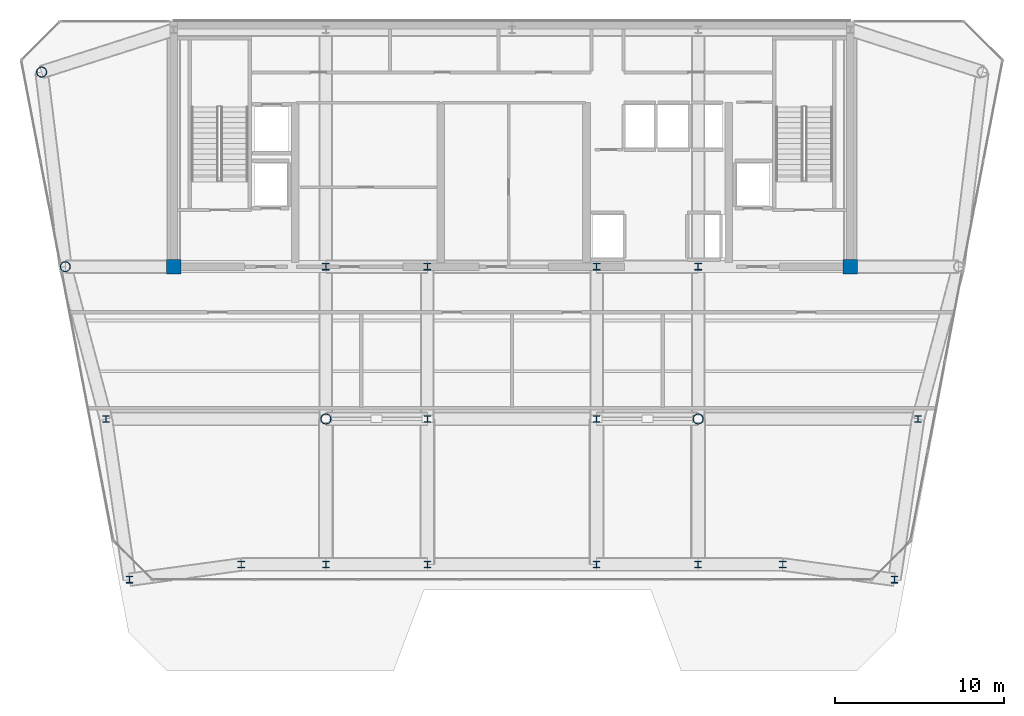
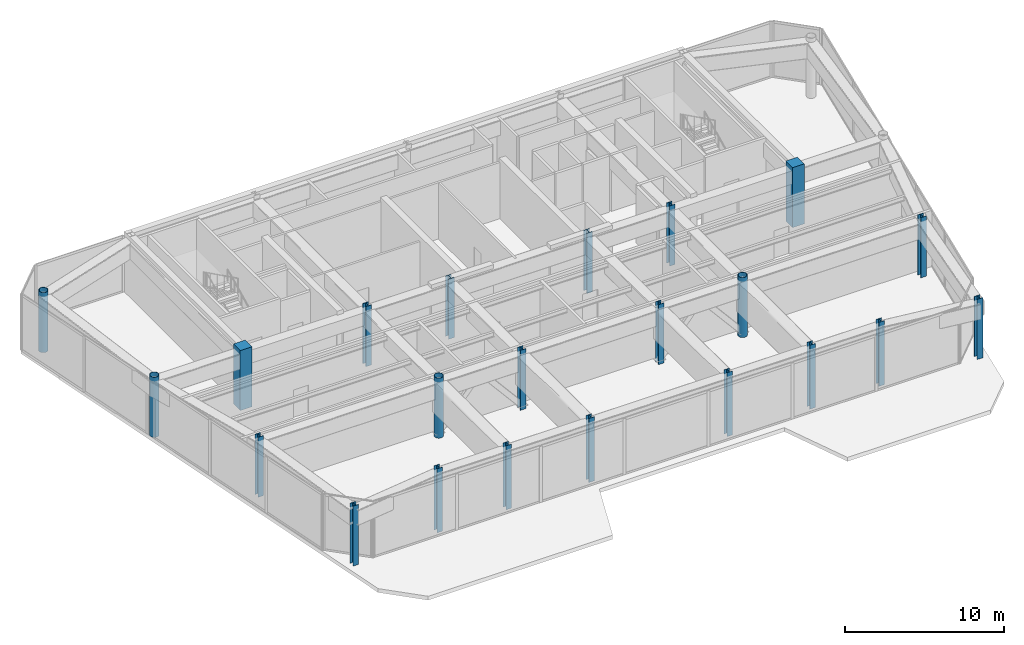
# One storey, part 1 of 14: 22 columns.
"""IFC4 building model written with IfcOpenShell, lengths in metres."""

from ifc_helpers import new_model, si_unit, direction, frame, origin, origin_2d, place, context, subcontext, project, spatial, rectangle, hollow_circle, i_section, extrude, source, transform, mapped, material, material_profile, profile_set, type_object, element, save


model = new_model("IFC4")

# Units and contexts
model_context = context("Model", 3, precision=1e-05, world=origin(), true_north=direction((0.0, 1.0)))
body_context = subcontext(model_context, "Body", "Model", "MODEL_VIEW")
ifc_project = project(units=[si_unit("LENGTHUNIT", "METRE"), si_unit("AREAUNIT", "SQUARE_METRE"), si_unit("VOLUMEUNIT", "CUBIC_METRE"), si_unit("PLANEANGLEUNIT", "RADIAN"), si_unit("MASSUNIT", "GRAM", prefix="KILO")], contexts=[model_context])

# Site, building, storey
site_placement = place(None, origin())
site = spatial("IfcSite", under=ifc_project, at=site_placement, CompositionType="ELEMENT")
building_placement = place(site_placement, origin())
building = spatial("IfcBuilding", under=site, at=building_placement, Name="Vaeldorn Concourse Tower", CompositionType="ELEMENT")
storey_placement = place(building_placement, frame((0.0, 0.0, 303.800048828125)))
storey = spatial("IfcBuildingStorey", under=building, at=storey_placement, Name="L78", CompositionType="ELEMENT", Elevation=303.800048828125)

# Columns
ifc_material_1 = material(Name="Concrete C50/60", Category="concrete")
ifc_material_profile_1 = material_profile(ifc_material_1, rectangle(XDim=0.85009765625, YDim=0.85009765625, at=origin_2d()), Name="RC 850x850")
ifc_profile_set_1 = profile_set([ifc_material_profile_1], Name="Concrete C50/60")
column_type_1 = type_object("IfcColumnType", Name="COL-RC850", PredefinedType="COLUMN", material=ifc_profile_set_1)
shared_shape_1 = source(origin(), body_context, "Body", "SweptSolid", [
    extrude(rectangle(XDim=0.85009765625, YDim=0.85009765625, at=origin_2d()), origin(), (0.0, 0.0, 1.0), 4.599853515625),
])
for number, where, z_axis, x_axis, name in (
    (1, (14.0, 36.5, 0.0), (0.0, 0.0, 1.0), (1.0, 0.0, 0.0), "Column C-FC1 L78"),
    (2, (54.0, 36.5, 0.0), (0.0, 0.0, 1.0), (1.0, 0.0, 0.0), "Column C-FC6 L78"),
):
    element("IfcColumn", number, at=place(storey_placement, frame(where, z_axis=z_axis, x_axis=x_axis)), inside=storey, type_object=column_type_1, Name=name, PredefinedType="COLUMN", context=body_context, shape_type="MappedRepresentation", body=[
        mapped(shared_shape_1, transform((0.0, 0.0, 0.0), scale=1.0)),
    ])
ifc_material_2 = material(Name="Steel S355", Category="steel")
ifc_material_profile_2 = material_profile(ifc_material_2, i_section(OverallWidth=0.406005859375, OverallDepth=0.416015625, WebThickness=0.02978515625, FlangeThickness=0.0419921875, FilletRadius=0.014892578125, at=origin_2d()), Name="HD 400x382")
ifc_profile_set_2 = profile_set([ifc_material_profile_2], Name="Steel S355")
column_type_2 = type_object("IfcColumnType", Name="COL-HD382", PredefinedType="COLUMN", material=ifc_profile_set_2)
shared_shape_2 = source(origin(), body_context, "Body", "SweptSolid", [
    extrude(i_section(OverallWidth=0.406005859375, OverallDepth=0.416015625, WebThickness=0.02978515625, FlangeThickness=0.0419921875, FilletRadius=0.014892578125, at=origin_2d()), origin(), (0.0, 0.0, 1.0), 4.599853515625),
])
for number, where, z_axis, x_axis, name in (
    (3, (23.0, 36.5, 0.0), (0.0, 0.0, 1.0), (1.0, 0.0, 0.0), "Column C-FC2 L78"),
    (4, (29.0, 36.5, 0.0), (0.0, 0.0, 1.0), (1.0, 0.0, 0.0), "Column C-FC3 L78"),
    (5, (39.0, 36.5, 0.0), (0.0, 0.0, 1.0), (1.0, 0.0, 0.0), "Column C-FC4 L78"),
    (6, (45.0, 36.5, 0.0), (0.0, 0.0, 1.0), (1.0, 0.0, 0.0), "Column C-FC5 L78"),
):
    element("IfcColumn", number, at=place(storey_placement, frame(where, z_axis=z_axis, x_axis=x_axis)), inside=storey, type_object=column_type_2, Name=name, PredefinedType="COLUMN", context=body_context, shape_type="MappedRepresentation", body=[
        mapped(shared_shape_2, transform((0.0, 0.0, 0.0), scale=1.0)),
    ])
ifc_material_profile_3 = material_profile(ifc_material_2, hollow_circle(Radius=0.304931640625, WallThickness=0.030029296875, at=origin_2d()), Name="CHS 610x30")
ifc_profile_set_3 = profile_set([ifc_material_profile_3], Name="Steel S355")
column_type_3 = type_object("IfcColumnType", Name="COL-CHS610", PredefinedType="COLUMN", material=ifc_profile_set_3)
shared_shape_3 = source(origin(), body_context, "Body", "SweptSolid", [
    extrude(hollow_circle(Radius=0.304931640625, WallThickness=0.030029296875, at=origin_2d()), origin(), (0.0, 0.0, 1.0), 4.599853515625),
])
for number, where, z_axis, x_axis, name in (
    (7, (6.199951171875, 48.0, 0.0), (0.0, 0.0, 1.0), (1.0, 0.0, 0.0), "Column C-NW1 L78"),
    (8, (7.60009765625, 36.5, 0.0), (0.0, 0.0, 1.0), (1.0, 0.0, 0.0), "Column C-NW2 L78"),
    (9, (23.0, 27.5, 0.0), (0.0, 0.0, 1.0), (1.0, 0.0, 0.0), "Column C-TW1 L78"),
    (10, (45.0, 27.5, 0.0), (0.0, 0.0, 1.0), (1.0, 0.0, 0.0), "Column C-TW4 L78"),
):
    element("IfcColumn", number, at=place(storey_placement, frame(where, z_axis=z_axis, x_axis=x_axis)), inside=storey, type_object=column_type_3, Name=name, PredefinedType="COLUMN", context=body_context, shape_type="MappedRepresentation", body=[
        mapped(shared_shape_3, transform((0.0, 0.0, 0.0), scale=1.0)),
    ])
ifc_material_profile_4 = material_profile(ifc_material_2, i_section(OverallWidth=0.40087890625, OverallDepth=0.39892578125, WebThickness=0.02490234375, FlangeThickness=0.034912109375, FilletRadius=0.014892578125, at=origin_2d()), Name="HD 400x314")
ifc_profile_set_4 = profile_set([ifc_material_profile_4], Name="Steel S355")
column_type_4 = type_object("IfcColumnType", Name="COL-HD314F", PredefinedType="COLUMN", material=ifc_profile_set_4)
shared_shape_4 = source(origin(), body_context, "Body", "SweptSolid", [
    extrude(i_section(OverallWidth=0.40087890625, OverallDepth=0.39892578125, WebThickness=0.02490234375, FlangeThickness=0.034912109375, FilletRadius=0.014892578125, at=origin_2d()), origin(), (0.0, 0.0, 1.0), 4.599853515625),
])
for number, where, z_axis, x_axis, name in (
    (11, (10.0, 27.5, 0.0), (0.0, 0.0, 1.0), (1.0, 0.0, 0.0), "Column C-FLW1 L78"),
    (12, (11.39990234375, 18.0, 0.0), (0.0, 0.0, 1.0), (1.0, 0.0, 0.0), "Column C-FLW2 L78"),
    (13, (58.0, 27.5, 0.0), (0.0, 0.0, 1.0), (1.0, 0.0, 0.0), "Column C-FLE1 L78"),
    (14, (56.60009765625, 18.0, 0.0), (0.0, 0.0, 1.0), (1.0, 0.0, 0.0), "Column C-FLE2 L78"),
):
    element("IfcColumn", number, at=place(storey_placement, frame(where, z_axis=z_axis, x_axis=x_axis)), inside=storey, type_object=column_type_4, Name=name, PredefinedType="COLUMN", context=body_context, shape_type="MappedRepresentation", body=[
        mapped(shared_shape_4, transform((0.0, 0.0, 0.0), scale=1.0)),
    ])
ifc_material_profile_5 = material_profile(ifc_material_2, i_section(OverallWidth=0.39794921875, OverallDepth=0.386962890625, WebThickness=0.0205078125, FlangeThickness=0.029052734375, FilletRadius=0.014892578125, at=origin_2d()), Name="HD 400x262")
ifc_profile_set_5 = profile_set([ifc_material_profile_5], Name="Steel S355")
column_type_5 = type_object("IfcColumnType", Name="COL-HD262T", PredefinedType="COLUMN", material=ifc_profile_set_5)
shared_shape_5 = source(origin(), body_context, "Body", "SweptSolid", [
    extrude(i_section(OverallWidth=0.39794921875, OverallDepth=0.386962890625, WebThickness=0.0205078125, FlangeThickness=0.029052734375, FilletRadius=0.014892578125, at=origin_2d()), origin(), (0.0, 0.0, 1.0), 4.599853515625),
])
for number, where, z_axis, x_axis, name in (
    (15, (29.0, 27.5, 0.0), (0.0, 0.0, 1.0), (1.0, 0.0, 0.0), "Column C-TW2 L78"),
    (16, (39.0, 27.5, 0.0), (0.0, 0.0, 1.0), (1.0, 0.0, 0.0), "Column C-TW3 L78"),
):
    element("IfcColumn", number, at=place(storey_placement, frame(where, z_axis=z_axis, x_axis=x_axis)), inside=storey, type_object=column_type_5, Name=name, PredefinedType="COLUMN", context=body_context, shape_type="MappedRepresentation", body=[
        mapped(shared_shape_5, transform((0.0, 0.0, 0.0), scale=1.0)),
    ])
shared_shape_6 = source(origin(), body_context, "Body", "SweptSolid", [
    extrude(i_section(OverallWidth=0.39794921875, OverallDepth=0.386962890625, WebThickness=0.0205078125, FlangeThickness=0.029052734375, FilletRadius=0.014892578125, at=origin_2d()), origin(), (0.0, 0.0, 1.0), 4.89990234375),
])
for number, where, z_axis, x_axis, name in (
    (17, (18.0, 18.89990234375, -0.300048828125), (0.0, 0.0, 1.0), (1.0, 0.0, 0.0), "Column C-SF1 L78"),
    (18, (23.0, 18.89990234375, -0.300048828125), (0.0, 0.0, 1.0), (1.0, 0.0, 0.0), "Column C-SF2 L78"),
    (19, (29.0, 18.89990234375, -0.300048828125), (0.0, 0.0, 1.0), (1.0, 0.0, 0.0), "Column C-SF3 L78"),
    (20, (39.0, 18.89990234375, -0.300048828125), (0.0, 0.0, 1.0), (1.0, 0.0, 0.0), "Column C-SF4 L78"),
    (21, (45.0, 18.89990234375, -0.300048828125), (0.0, 0.0, 1.0), (1.0, 0.0, 0.0), "Column C-SF5 L78"),
    (22, (50.0, 18.89990234375, -0.300048828125), (0.0, 0.0, 1.0), (1.0, 0.0, 0.0), "Column C-SF6 L78"),
):
    element("IfcColumn", number, at=place(storey_placement, frame(where, z_axis=z_axis, x_axis=x_axis)), inside=storey, type_object=column_type_5, Name=name, PredefinedType="COLUMN", context=body_context, shape_type="MappedRepresentation", body=[
        mapped(shared_shape_6, transform((0.0, 0.0, 0.0), scale=1.0)),
    ])

save(model, "model.ifc")
